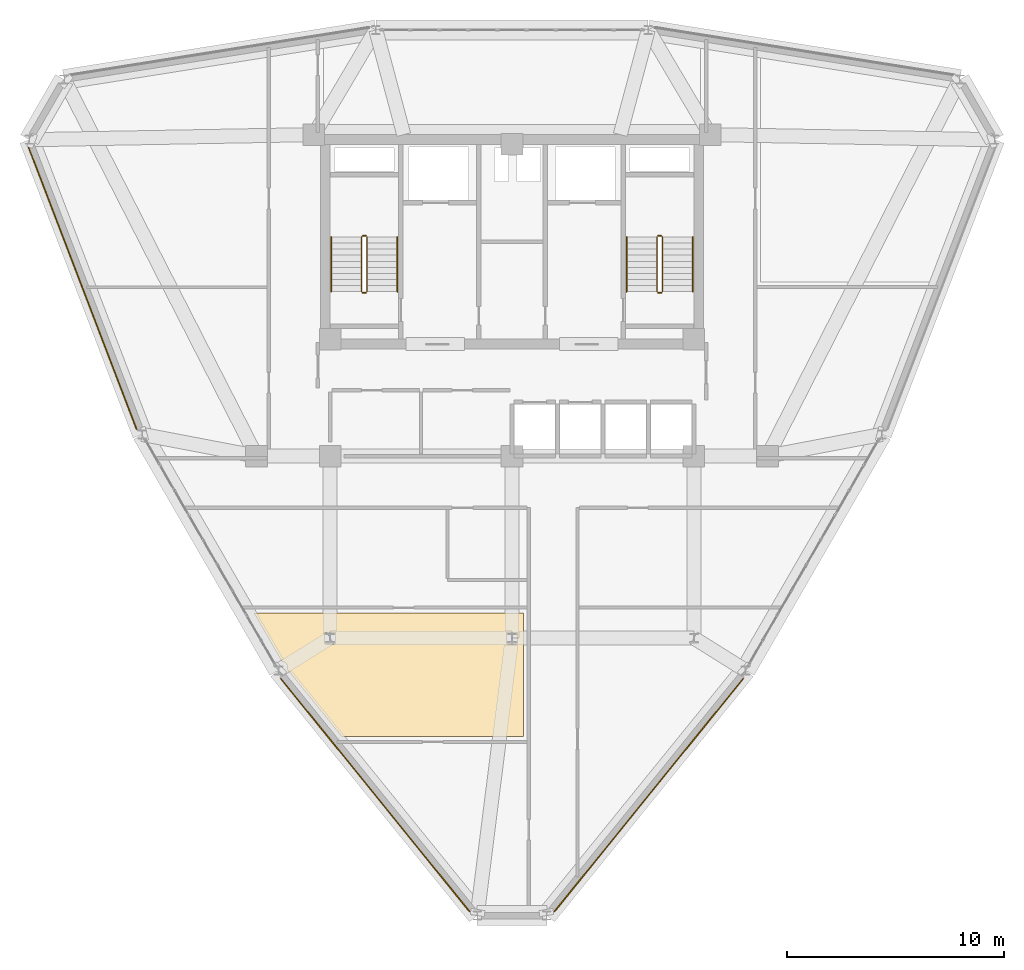
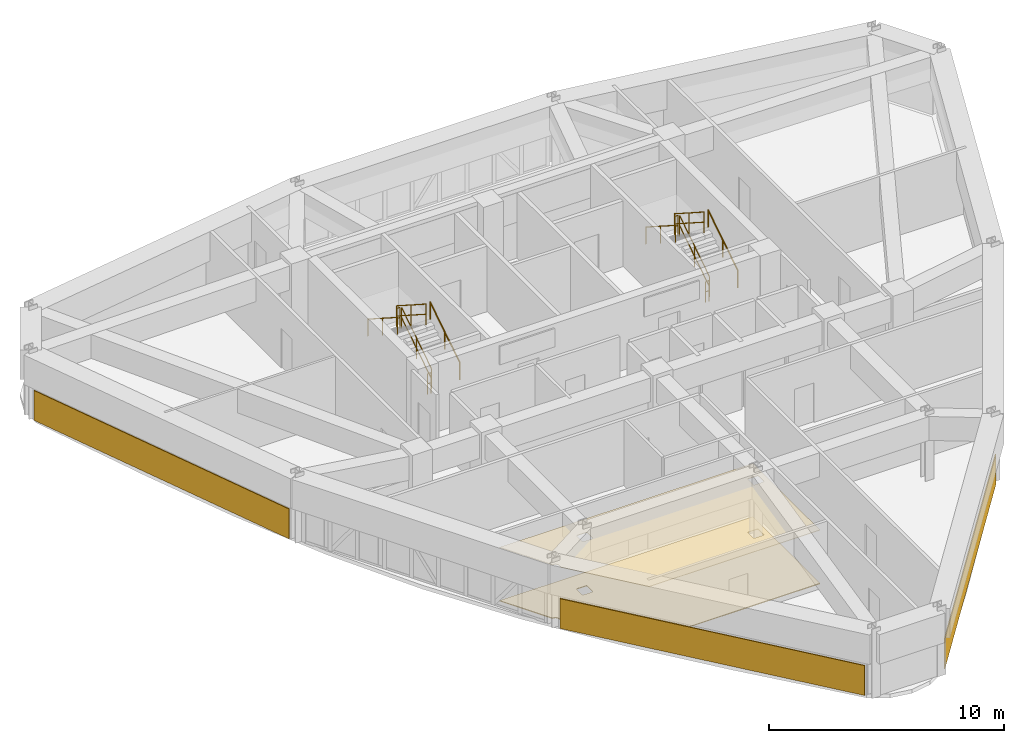
# One storey, part 13 of 14: 12 railings, 5 coverings.
"""IFC4 building model written with IfcOpenShell, lengths in metres."""

from ifc_helpers import new_model, si_unit, derived_unit, direction, frame, origin, origin_2d, place, context, subcontext, project, spatial, polyline, circle, outline, extrude, material, layer, layer_set, type_object, element, save


model = new_model("IFC4")

# Units and contexts
model_context = context("Model", 3, precision=1e-05, world=origin(), true_north=direction((0.0, 1.0)))
body_context = subcontext(model_context, "Body", "Model", "MODEL_VIEW")
ifc_project = project(units=[si_unit("LENGTHUNIT", "METRE"), si_unit("AREAUNIT", "SQUARE_METRE"), si_unit("VOLUMEUNIT", "CUBIC_METRE"), si_unit("PLANEANGLEUNIT", "RADIAN"), si_unit("MASSUNIT", "GRAM", prefix="KILO"), derived_unit("THERMALTRANSMITTANCEUNIT", [(si_unit("POWERUNIT", "WATT"), 1), (si_unit("LENGTHUNIT", "METRE"), -2), (si_unit("THERMODYNAMICTEMPERATUREUNIT", "KELVIN"), -1)])], contexts=[model_context])

# Site, building, storey
site_placement = place(None, origin())
site = spatial("IfcSite", under=ifc_project, at=site_placement, CompositionType="ELEMENT")
building_placement = place(site_placement, origin())
building = spatial("IfcBuilding", under=site, at=building_placement, Name="Korsvarv Bourse and Concert Hall", CompositionType="ELEMENT")
storey_placement = place(building_placement, frame((0.0, 0.0, 186.60009765625)))
storey = spatial("IfcBuildingStorey", under=building, at=storey_placement, Name="L48", CompositionType="ELEMENT", Elevation=186.60009765625)

# Coverings
ifc_material_1 = material(Name="Perforated mineral-wool and birch acoustic baffle ceiling", Category="wood")
ifc_layer_1 = layer(ifc_material_1, 0.02490234375)
ifc_layer_set_1 = layer_set([ifc_layer_1], Name="Perforated mineral-wool and birch acoustic baffle ceiling")
covering_type_1 = type_object("IfcCoveringType", Name="COV-CEIL-1", PredefinedType="CEILING", material=ifc_layer_set_1)
covering_1_placement = place(storey_placement, frame((0.0, 0.0, 2.77978515625)))
element("IfcCovering", 1, at=covering_1_placement, inside=storey, type_object=covering_type_1, Name="L48 acoustic baffle ceiling 3", PredefinedType="CEILING", context=body_context, shape_type="SweptSolid", body=[
    extrude(outline(polyline([(28.135986328125, 19.449951171875), (25.60986328125, 22.567138671875), (25.60986328125, 22.72021484375), (25.606201171875, 22.756103515625), (25.595703125, 22.79052734375), (25.578125, 22.822021484375), (25.554931640625, 22.849609375), (25.526611328125, 22.8720703125), (25.494384765625, 22.88818359375), (25.45947265625, 22.897705078125), (25.383544921875, 22.903564453125), (24.08642578125, 25.14990234375), (36.52001953125, 25.14990234375), (36.52001953125, 19.449951171875), (28.135986328125, 19.449951171875)]), holes=[polyline([(27.37939453125, 23.734619140625), (27.805908203125, 23.732421875), (27.82958984375, 23.73828125), (27.84765625, 23.754638671875), (27.855712890625, 23.777587890625), (27.85595703125, 24.217529296875), (27.85009765625, 24.2412109375), (27.833740234375, 24.259033203125), (27.810791015625, 24.267333984375), (27.39404296875, 24.267578125), (27.370361328125, 24.26171875), (27.352294921875, 24.245361328125), (27.34423828125, 24.222412109375), (27.343994140625, 23.782470703125), (27.349853515625, 23.7587890625), (27.37939453125, 23.734619140625)]), polyline([(35.7841796875, 23.7333984375), (36.2060546875, 23.732421875), (36.2294921875, 23.73828125), (36.24755859375, 23.754638671875), (36.255859375, 23.777587890625), (36.256103515625, 24.217529296875), (36.25, 24.2412109375), (36.23388671875, 24.259033203125), (36.2109375, 24.267333984375), (35.7939453125, 24.267578125), (35.7705078125, 24.26171875), (35.75244140625, 24.245361328125), (35.744140625, 24.222412109375), (35.743896484375, 23.782470703125), (35.75, 23.7587890625), (35.7841796875, 23.7333984375)])]), origin(), (0.0, 0.0, 1.0), 0.025146484375),
])
ifc_material_2 = material(Name="Warm iron-oxide extruded terracotta rainscreen tile", Category="ceramic")
ifc_layer_2 = layer(ifc_material_2, 0.044921875)
ifc_layer_set_2 = layer_set([ifc_layer_2], Name="Warm iron-oxide extruded terracotta rainscreen tile")
covering_type_2 = type_object("IfcCoveringType", Name="COV-CLD-TC", PredefinedType="CLADDING", material=ifc_layer_set_2)
covering_2_placement = place(storey_placement, origin())
element("IfcCovering", 2, at=covering_2_placement, inside=storey, type_object=covering_type_2, Name="L48 fluted terracotta cladding panel EW-L48-B06", PredefinedType="CLADDING", context=body_context, shape_type="SweptSolid", body=[
    extrude(outline(polyline([(13.694091796875, 46.677001953125), (18.691162109375, 33.64501953125), (18.649169921875, 33.628662109375), (13.652099609375, 46.660888671875), (13.694091796875, 46.677001953125)])), origin(), (0.0, 0.0, 1.0), 1.5498046875),
])
covering_3_placement = place(storey_placement, origin())
element("IfcCovering", 3, at=covering_3_placement, inside=storey, type_object=covering_type_2, Name="L48 fluted terracotta cladding panel EW-L48-B08", PredefinedType="CLADDING", context=body_context, shape_type="SweptSolid", body=[
    extrude(outline(polyline([(25.3349609375, 22.152099609375), (34.064453125, 11.379638671875), (34.029541015625, 11.351318359375), (25.300048828125, 22.12353515625), (25.3349609375, 22.152099609375)])), origin(), (0.0, 0.0, 1.0), 1.5498046875),
])
covering_4_placement = place(storey_placement, origin())
element("IfcCovering", 4, at=covering_4_placement, inside=storey, type_object=covering_type_2, Name="L48 fluted terracotta cladding panel EW-L48-B10", PredefinedType="CLADDING", context=body_context, shape_type="SweptSolid", body=[
    extrude(outline(polyline([(37.935546875, 11.379638671875), (46.6650390625, 22.152099609375), (46.699951171875, 22.12353515625), (37.970458984375, 11.351318359375), (37.935546875, 11.379638671875)])), origin(), (0.0, 0.0, 1.0), 1.5498046875),
])
ifc_material_3 = material(Name="Calcium-sulphate raised access trading floor with Nordic oak top", Category="wood")
ifc_layer_3 = layer(ifc_material_3, 0.0400390625)
ifc_layer_set_3 = layer_set([ifc_layer_3], Name="Calcium-sulphate raised access trading floor with Nordic oak top")
covering_type_3 = type_object("IfcCoveringType", Name="COV-FLOR-1", PredefinedType="FLOORING", material=ifc_layer_set_3)
covering_5_placement = place(storey_placement, origin())
element("IfcCovering", 5, at=covering_5_placement, inside=storey, type_object=covering_type_3, Name="L48 raised access oak floor finish 3", PredefinedType="FLOORING", context=body_context, shape_type="SweptSolid", body=[
    extrude(outline(polyline([(28.135986328125, 19.449951171875), (25.60986328125, 22.567138671875), (25.60986328125, 22.72021484375), (25.606201171875, 22.756103515625), (25.595703125, 22.79052734375), (25.578125, 22.822021484375), (25.554931640625, 22.849609375), (25.526611328125, 22.8720703125), (25.494384765625, 22.88818359375), (25.45947265625, 22.897705078125), (25.383544921875, 22.903564453125), (24.08642578125, 25.14990234375), (36.52001953125, 25.14990234375), (36.52001953125, 19.449951171875), (28.135986328125, 19.449951171875)]), holes=[polyline([(27.37939453125, 23.734619140625), (27.805908203125, 23.732421875), (27.82958984375, 23.73828125), (27.84765625, 23.754638671875), (27.855712890625, 23.777587890625), (27.85595703125, 24.217529296875), (27.85009765625, 24.2412109375), (27.833740234375, 24.259033203125), (27.810791015625, 24.267333984375), (27.39404296875, 24.267578125), (27.370361328125, 24.26171875), (27.352294921875, 24.245361328125), (27.34423828125, 24.222412109375), (27.343994140625, 23.782470703125), (27.349853515625, 23.7587890625), (27.37939453125, 23.734619140625)]), polyline([(35.7841796875, 23.7333984375), (36.2060546875, 23.732421875), (36.2294921875, 23.73828125), (36.24755859375, 23.754638671875), (36.255859375, 23.777587890625), (36.256103515625, 24.217529296875), (36.25, 24.2412109375), (36.23388671875, 24.259033203125), (36.2109375, 24.267333984375), (35.7939453125, 24.267578125), (35.7705078125, 24.26171875), (35.75244140625, 24.245361328125), (35.744140625, 24.222412109375), (35.743896484375, 23.782470703125), (35.75, 23.7587890625), (35.7841796875, 23.7333984375)])]), origin(), (0.0, 0.0, 1.0), 0.039794921875),
])

# Railings
ifc_material_4 = material(Name="Painted Steel S355 stair well guardrail", Category="steel")
railing_type_1 = type_object("IfcRailingType", Name="RL-ST-GRD", PredefinedType="GUARDRAIL", material=ifc_material_4)
railing_1_placement = place(storey_placement, frame((29.31005859375, 40.0, 0.179931640625)))
element("IfcRailing", 6, at=railing_1_placement, inside=storey, type_object=railing_type_1, Name="L48 ST-T1 stair guard 1", PredefinedType="GUARDRAIL", context=body_context, shape_type="SweptSolid", body=[
    extrude(circle(Radius=0.02392578125, at=origin_2d()), frame((0.0, 0.0, 1.076171875), z_axis=(0.0, 0.841199657755, 0.540724639528), x_axis=(-1.0, 0.0, 0.0)), (0.0, 0.0, 1.0), 2.995849609375),
    extrude(circle(Radius=0.02392578125, at=origin_2d()), frame((0.0, 0.0, 0.550048828125), z_axis=(0.0, 0.841199657755, 0.540724639528), x_axis=(-1.0, 0.0, 0.0)), (0.0, 0.0, 1.0), 2.995849609375),
    extrude(circle(Radius=0.02099609375, at=origin_2d()), origin(), (0.0, 0.0, 1.0), 1.052001953125),
    extrude(circle(Radius=0.02099609375, at=origin_2d()), frame((0.0, 1.260009765625, 0.81005859375)), (0.0, 0.0, 1.0), 1.052001953125),
    extrude(circle(Radius=0.02099609375, at=origin_2d()), frame((0.0, 2.52001953125, 1.619873046875)), (0.0, 0.0, 1.0), 1.052001953125),
])
railing_2_placement = place(storey_placement, frame((29.260009765625, 42.570068359375, 1.7998046875)))
element("IfcRailing", 7, at=railing_2_placement, inside=storey, type_object=railing_type_1, Name="L48 ST-T1 stair guard 2", PredefinedType="GUARDRAIL", context=body_context, shape_type="SweptSolid", body=[
    extrude(circle(Radius=0.02392578125, at=origin_2d()), frame((0.0, 0.0, 1.076171875), z_axis=(-1.0, 0.0, 0.0), x_axis=(0.0, -1.0, 0.0)), (0.0, 0.0, 1.0), 0.159912109375),
    extrude(circle(Radius=0.02392578125, at=origin_2d()), frame((0.0, 0.0, 0.550048828125), z_axis=(-1.0, 0.0, 0.0), x_axis=(0.0, -1.0, 0.0)), (0.0, 0.0, 1.0), 0.159912109375),
    extrude(circle(Radius=0.02099609375, at=origin_2d()), origin(), (0.0, 0.0, 1.0), 1.052001953125),
    extrude(circle(Radius=0.02099609375, at=origin_2d()), frame((-0.159912109375, 0.0, 0.0)), (0.0, 0.0, 1.0), 1.052001953125),
])
railing_3_placement = place(storey_placement, frame((29.050048828125, 42.52001953125, 1.97998046875)))
element("IfcRailing", 8, at=railing_3_placement, inside=storey, type_object=railing_type_1, Name="L48 ST-T1 stair guard 3", PredefinedType="GUARDRAIL", context=body_context, shape_type="SweptSolid", body=[
    extrude(circle(Radius=0.02392578125, at=origin_2d()), frame((0.0, 0.0, 1.076171875), z_axis=(0.0, -0.841199657755, 0.540724639528), x_axis=(1.0, 0.0, 0.0)), (0.0, 0.0, 1.0), 2.995849609375),
    extrude(circle(Radius=0.02392578125, at=origin_2d()), frame((0.0, 0.0, 0.550048828125), z_axis=(0.0, -0.841199657755, 0.540724639528), x_axis=(1.0, 0.0, 0.0)), (0.0, 0.0, 1.0), 2.995849609375),
    extrude(circle(Radius=0.02099609375, at=origin_2d()), origin(), (0.0, 0.0, 1.0), 1.052001953125),
    extrude(circle(Radius=0.02099609375, at=origin_2d()), frame((0.0, -1.260009765625, 0.81005859375)), (0.0, 0.0, 1.0), 1.052001953125),
    extrude(circle(Radius=0.02099609375, at=origin_2d()), frame((0.0, -2.52001953125, 1.619873046875)), (0.0, 0.0, 1.0), 1.052001953125),
])
railing_4_placement = place(storey_placement, frame((29.260009765625, 39.949951171875, 0.0)))
element("IfcRailing", 9, at=railing_4_placement, inside=storey, type_object=railing_type_1, Name="L48 ST-T1 stair guard 4", PredefinedType="GUARDRAIL", context=body_context, shape_type="SweptSolid", body=[
    extrude(circle(Radius=0.02392578125, at=origin_2d()), frame((0.0, 0.0, 1.076171875), z_axis=(-1.0, 0.0, 0.0), x_axis=(0.0, -1.0, 0.0)), (0.0, 0.0, 1.0), 0.159912109375),
    extrude(circle(Radius=0.02392578125, at=origin_2d()), frame((0.0, 0.0, 0.550048828125), z_axis=(-1.0, 0.0, 0.0), x_axis=(0.0, -1.0, 0.0)), (0.0, 0.0, 1.0), 0.159912109375),
    extrude(circle(Radius=0.02099609375, at=origin_2d()), origin(), (0.0, 0.0, 1.0), 1.052001953125),
    extrude(circle(Radius=0.02099609375, at=origin_2d()), frame((-0.159912109375, 0.0, 0.0)), (0.0, 0.0, 1.0), 1.052001953125),
])
railing_5_placement = place(storey_placement, frame((42.949951171875, 40.0, 0.179931640625)))
element("IfcRailing", 10, at=railing_5_placement, inside=storey, type_object=railing_type_1, Name="L48 ST-T2 stair guard 1", PredefinedType="GUARDRAIL", context=body_context, shape_type="SweptSolid", body=[
    extrude(circle(Radius=0.02392578125, at=origin_2d()), frame((0.0, 0.0, 1.076171875), z_axis=(0.0, 0.841199657755, 0.540724639528), x_axis=(-1.0, 0.0, 0.0)), (0.0, 0.0, 1.0), 2.995849609375),
    extrude(circle(Radius=0.02392578125, at=origin_2d()), frame((0.0, 0.0, 0.550048828125), z_axis=(0.0, 0.841199657755, 0.540724639528), x_axis=(-1.0, 0.0, 0.0)), (0.0, 0.0, 1.0), 2.995849609375),
    extrude(circle(Radius=0.02099609375, at=origin_2d()), origin(), (0.0, 0.0, 1.0), 1.052001953125),
    extrude(circle(Radius=0.02099609375, at=origin_2d()), frame((0.0, 1.260009765625, 0.81005859375)), (0.0, 0.0, 1.0), 1.052001953125),
    extrude(circle(Radius=0.02099609375, at=origin_2d()), frame((0.0, 2.52001953125, 1.619873046875)), (0.0, 0.0, 1.0), 1.052001953125),
])
railing_6_placement = place(storey_placement, frame((42.89990234375, 42.570068359375, 1.7998046875)))
element("IfcRailing", 11, at=railing_6_placement, inside=storey, type_object=railing_type_1, Name="L48 ST-T2 stair guard 2", PredefinedType="GUARDRAIL", context=body_context, shape_type="SweptSolid", body=[
    extrude(circle(Radius=0.02392578125, at=origin_2d()), frame((0.0, 0.0, 1.076171875), z_axis=(-1.0, 0.0, 0.0), x_axis=(0.0, -1.0, 0.0)), (0.0, 0.0, 1.0), 0.159912109375),
    extrude(circle(Radius=0.02392578125, at=origin_2d()), frame((0.0, 0.0, 0.550048828125), z_axis=(-1.0, 0.0, 0.0), x_axis=(0.0, -1.0, 0.0)), (0.0, 0.0, 1.0), 0.159912109375),
    extrude(circle(Radius=0.02099609375, at=origin_2d()), origin(), (0.0, 0.0, 1.0), 1.052001953125),
    extrude(circle(Radius=0.02099609375, at=origin_2d()), frame((-0.159912109375, 0.0, 0.0)), (0.0, 0.0, 1.0), 1.052001953125),
])
railing_7_placement = place(storey_placement, frame((42.68994140625, 42.52001953125, 1.97998046875)))
element("IfcRailing", 12, at=railing_7_placement, inside=storey, type_object=railing_type_1, Name="L48 ST-T2 stair guard 3", PredefinedType="GUARDRAIL", context=body_context, shape_type="SweptSolid", body=[
    extrude(circle(Radius=0.02392578125, at=origin_2d()), frame((0.0, 0.0, 1.076171875), z_axis=(0.0, -0.841199657755, 0.540724639528), x_axis=(1.0, 0.0, 0.0)), (0.0, 0.0, 1.0), 2.995849609375),
    extrude(circle(Radius=0.02392578125, at=origin_2d()), frame((0.0, 0.0, 0.550048828125), z_axis=(0.0, -0.841199657755, 0.540724639528), x_axis=(1.0, 0.0, 0.0)), (0.0, 0.0, 1.0), 2.995849609375),
    extrude(circle(Radius=0.02099609375, at=origin_2d()), origin(), (0.0, 0.0, 1.0), 1.052001953125),
    extrude(circle(Radius=0.02099609375, at=origin_2d()), frame((0.0, -1.260009765625, 0.81005859375)), (0.0, 0.0, 1.0), 1.052001953125),
    extrude(circle(Radius=0.02099609375, at=origin_2d()), frame((0.0, -2.52001953125, 1.619873046875)), (0.0, 0.0, 1.0), 1.052001953125),
])
railing_8_placement = place(storey_placement, frame((42.89990234375, 39.949951171875, 0.0)))
element("IfcRailing", 13, at=railing_8_placement, inside=storey, type_object=railing_type_1, Name="L48 ST-T2 stair guard 4", PredefinedType="GUARDRAIL", context=body_context, shape_type="SweptSolid", body=[
    extrude(circle(Radius=0.02392578125, at=origin_2d()), frame((0.0, 0.0, 1.076171875), z_axis=(-1.0, 0.0, 0.0), x_axis=(0.0, -1.0, 0.0)), (0.0, 0.0, 1.0), 0.159912109375),
    extrude(circle(Radius=0.02392578125, at=origin_2d()), frame((0.0, 0.0, 0.550048828125), z_axis=(-1.0, 0.0, 0.0), x_axis=(0.0, -1.0, 0.0)), (0.0, 0.0, 1.0), 0.159912109375),
    extrude(circle(Radius=0.02099609375, at=origin_2d()), origin(), (0.0, 0.0, 1.0), 1.052001953125),
    extrude(circle(Radius=0.02099609375, at=origin_2d()), frame((-0.159912109375, 0.0, 0.0)), (0.0, 0.0, 1.0), 1.052001953125),
])
ifc_material_5 = material(Name="Brushed stainless Steel S355 tubular handrail", Category="steel")
railing_type_2 = type_object("IfcRailingType", Name="RL-ST-HND", PredefinedType="HANDRAIL", material=ifc_material_5)
railing_9_placement = place(storey_placement, frame((30.7099609375, 40.0, 0.179931640625)))
element("IfcRailing", 14, at=railing_9_placement, inside=storey, type_object=railing_type_2, Name="L48 ST-T1 stair handrail 1", PredefinedType="HANDRAIL", context=body_context, shape_type="SweptSolid", body=[
    extrude(circle(Radius=0.02392578125, at=origin_2d()), frame((0.0, 0.0, 0.8759765625), z_axis=(0.0, 0.841199657755, 0.540724639528), x_axis=(-1.0, 0.0, 0.0)), (0.0, 0.0, 1.0), 2.995849609375),
    extrude(circle(Radius=0.02099609375, at=origin_2d()), origin(), (0.0, 0.0, 1.0), 0.851806640625),
    extrude(circle(Radius=0.02099609375, at=origin_2d()), frame((0.0, 1.260009765625, 0.81005859375)), (0.0, 0.0, 1.0), 0.851806640625),
    extrude(circle(Radius=0.02099609375, at=origin_2d()), frame((0.0, 2.52001953125, 1.619873046875)), (0.0, 0.0, 1.0), 0.851806640625),
])
railing_10_placement = place(storey_placement, frame((27.64990234375, 42.52001953125, 1.97998046875)))
element("IfcRailing", 15, at=railing_10_placement, inside=storey, type_object=railing_type_2, Name="L48 ST-T1 stair handrail 2", PredefinedType="HANDRAIL", context=body_context, shape_type="SweptSolid", body=[
    extrude(circle(Radius=0.02392578125, at=origin_2d()), frame((0.0, 0.0, 0.8759765625), z_axis=(0.0, -0.841199657755, 0.540724639528), x_axis=(1.0, 0.0, 0.0)), (0.0, 0.0, 1.0), 2.995849609375),
    extrude(circle(Radius=0.02099609375, at=origin_2d()), origin(), (0.0, 0.0, 1.0), 0.851806640625),
    extrude(circle(Radius=0.02099609375, at=origin_2d()), frame((0.0, -1.260009765625, 0.81005859375)), (0.0, 0.0, 1.0), 0.851806640625),
    extrude(circle(Radius=0.02099609375, at=origin_2d()), frame((0.0, -2.52001953125, 1.619873046875)), (0.0, 0.0, 1.0), 0.851806640625),
])
railing_11_placement = place(storey_placement, frame((44.35009765625, 40.0, 0.179931640625)))
element("IfcRailing", 16, at=railing_11_placement, inside=storey, type_object=railing_type_2, Name="L48 ST-T2 stair handrail 1", PredefinedType="HANDRAIL", context=body_context, shape_type="SweptSolid", body=[
    extrude(circle(Radius=0.02392578125, at=origin_2d()), frame((0.0, 0.0, 0.8759765625), z_axis=(0.0, 0.841199657755, 0.540724639528), x_axis=(-1.0, 0.0, 0.0)), (0.0, 0.0, 1.0), 2.995849609375),
    extrude(circle(Radius=0.02099609375, at=origin_2d()), origin(), (0.0, 0.0, 1.0), 0.851806640625),
    extrude(circle(Radius=0.02099609375, at=origin_2d()), frame((0.0, 1.260009765625, 0.81005859375)), (0.0, 0.0, 1.0), 0.851806640625),
    extrude(circle(Radius=0.02099609375, at=origin_2d()), frame((0.0, 2.52001953125, 1.619873046875)), (0.0, 0.0, 1.0), 0.851806640625),
])
railing_12_placement = place(storey_placement, frame((41.2900390625, 42.52001953125, 1.97998046875)))
element("IfcRailing", 17, at=railing_12_placement, inside=storey, type_object=railing_type_2, Name="L48 ST-T2 stair handrail 2", PredefinedType="HANDRAIL", context=body_context, shape_type="SweptSolid", body=[
    extrude(circle(Radius=0.02392578125, at=origin_2d()), frame((0.0, 0.0, 0.8759765625), z_axis=(0.0, -0.841199657755, 0.540724639528), x_axis=(1.0, 0.0, 0.0)), (0.0, 0.0, 1.0), 2.995849609375),
    extrude(circle(Radius=0.02099609375, at=origin_2d()), origin(), (0.0, 0.0, 1.0), 0.851806640625),
    extrude(circle(Radius=0.02099609375, at=origin_2d()), frame((0.0, -1.260009765625, 0.81005859375)), (0.0, 0.0, 1.0), 0.851806640625),
    extrude(circle(Radius=0.02099609375, at=origin_2d()), frame((0.0, -2.52001953125, 1.619873046875)), (0.0, 0.0, 1.0), 0.851806640625),
])

save(model, "model.ifc")
